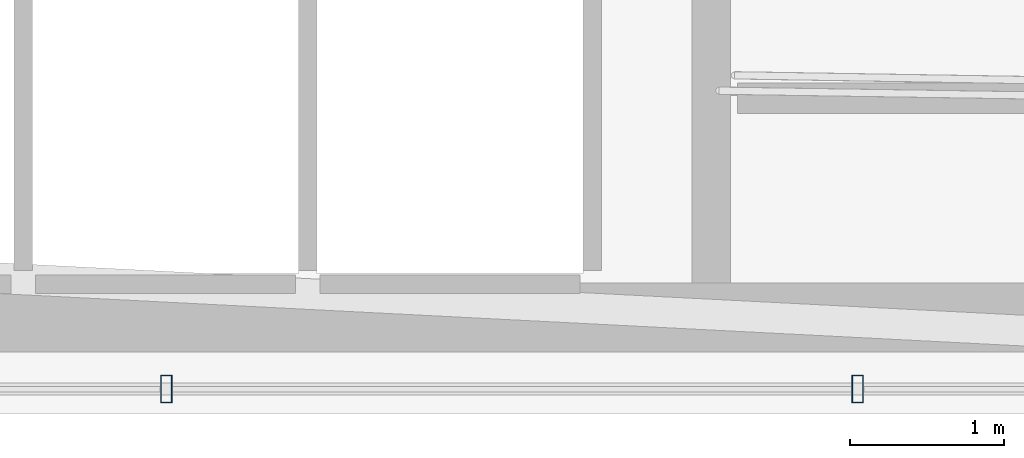
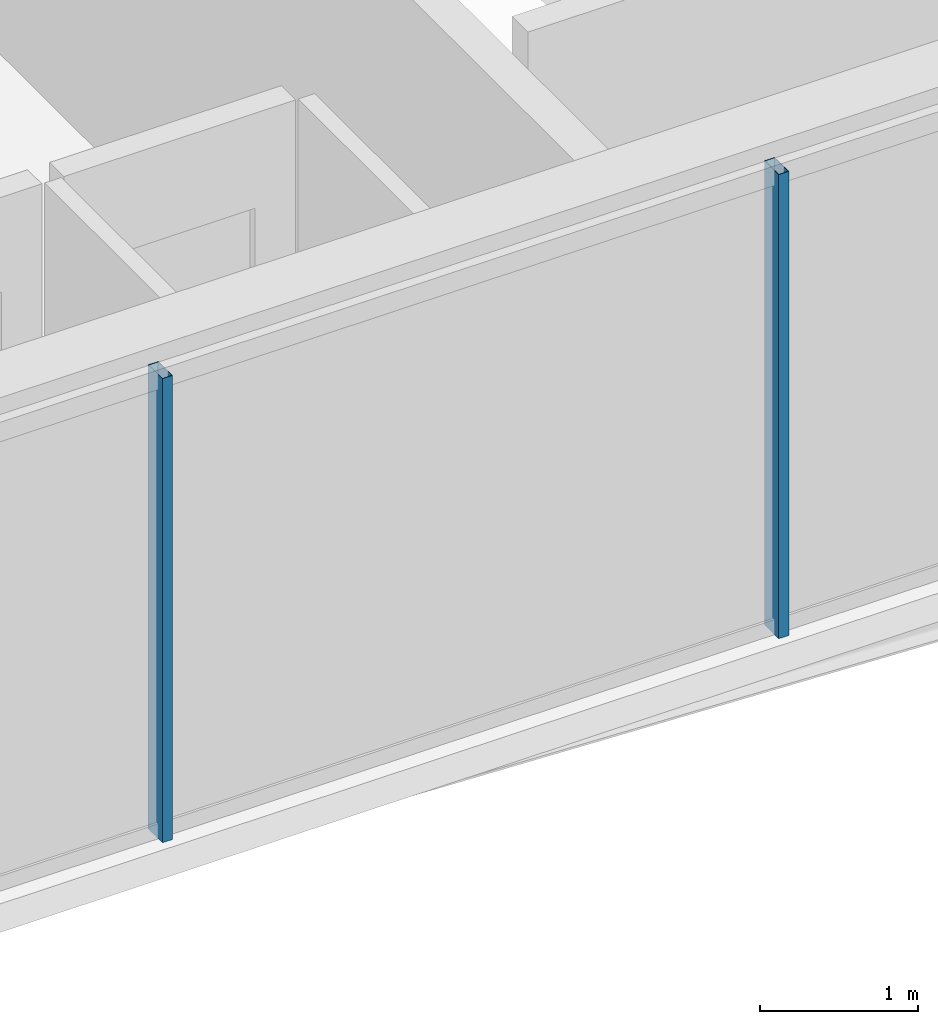
# One storey, part 7 of 32: 2 members, 1 element without a shape of its own.
"""IFC4 building model written with IfcOpenShell, lengths in metres."""

from ifc_helpers import new_model, si_unit, direction, frame, origin, origin_2d, place, context, subcontext, project, spatial, hollow_rectangle, extrude, material, layer, layer_set, material_profile, profile_set, type_object, element, aggregate, save


model = new_model("IFC4")

# Units and contexts
model_context = context("Model", 3, precision=1e-05, world=origin(), true_north=direction((0.0, 1.0)))
body_context = subcontext(model_context, "Body", "Model", "MODEL_VIEW")
ifc_project = project(units=[si_unit("LENGTHUNIT", "METRE"), si_unit("AREAUNIT", "SQUARE_METRE"), si_unit("VOLUMEUNIT", "CUBIC_METRE"), si_unit("PLANEANGLEUNIT", "RADIAN"), si_unit("MASSUNIT", "GRAM", prefix="KILO")], contexts=[model_context])

# Site, building, storey
site_placement = place(None, origin())
site = spatial("IfcSite", under=ifc_project, at=site_placement, CompositionType="ELEMENT")
building_placement = place(site_placement, origin())
building = spatial("IfcBuilding", under=site, at=building_placement, Name="Ndaravel Arena Tower", CompositionType="ELEMENT")
storey_placement = place(building_placement, frame((0.0, 0.0, 58.800048828125)))
storey = spatial("IfcBuildingStorey", under=building, at=storey_placement, Name="L12", CompositionType="ELEMENT", Elevation=58.800048828125)

# Curtain wall, members
ifc_material_1 = material(Name="Aluminium", Category="aluminium")
ifc_layer = layer(ifc_material_1, 0.179931640625)
ifc_layer_set = layer_set([ifc_layer], Name="Aluminium")
curtain_wall_type = type_object("IfcCurtainWallType", Name="CW-SYS-03", PredefinedType="NOTDEFINED", material=ifc_layer_set)
curtain_wall_placement = place(storey_placement, origin())
curtain_wall = element("IfcCurtainWall", 1, at=curtain_wall_placement, inside=storey, type_object=curtain_wall_type, Name="L12 Faceted Crystal Curtain Wall CW-L12-E01", PredefinedType="NOTDEFINED")
ifc_material_2 = material(Name="Aluminium", Category="aluminium")
ifc_material_profile = material_profile(ifc_material_2, hollow_rectangle(XDim=0.074951171875, YDim=0.179931640625, WallThickness=0.00390625, at=origin_2d()), Name="CW MULLION 75x180x4")
ifc_profile_set = profile_set([ifc_material_profile], Name="Aluminium")
member_type = type_object("IfcMemberType", Name="MEM-CW-MUL180", PredefinedType="MULLION", material=ifc_profile_set)
member_1_placement = place(storey_placement, frame((35.25634765625, 5.159912109375, 0.0), z_axis=(0.0, 0.0, 1.0), x_axis=(1.0, 0.0, 0.0)))
member_1 = element("IfcMember", 2, at=member_1_placement, type_object=member_type, Name="CW-L12-E01 Mullion 02", PredefinedType="MULLION", context=body_context, shape_type="SweptSolid", body=[
    extrude(hollow_rectangle(XDim=0.074951171875, YDim=0.179931640625, WallThickness=0.00390625, at=origin_2d()), origin(), (0.0, 0.0, 1.0), 3.579833984375),
])
member_2_placement = place(storey_placement, frame((39.752197265625, 5.159912109375, 0.0), z_axis=(0.0, 0.0, 1.0), x_axis=(1.0, 0.0, 0.0)))
member_2 = element("IfcMember", 3, at=member_2_placement, type_object=member_type, Name="CW-L12-E01 Mullion 03", PredefinedType="MULLION", context=body_context, shape_type="SweptSolid", body=[
    extrude(hollow_rectangle(XDim=0.074951171875, YDim=0.179931640625, WallThickness=0.00390625, at=origin_2d()), origin(), (0.0, 0.0, 1.0), 3.579833984375),
])
aggregate(curtain_wall, [member_1, member_2])

save(model, "model.ifc")
